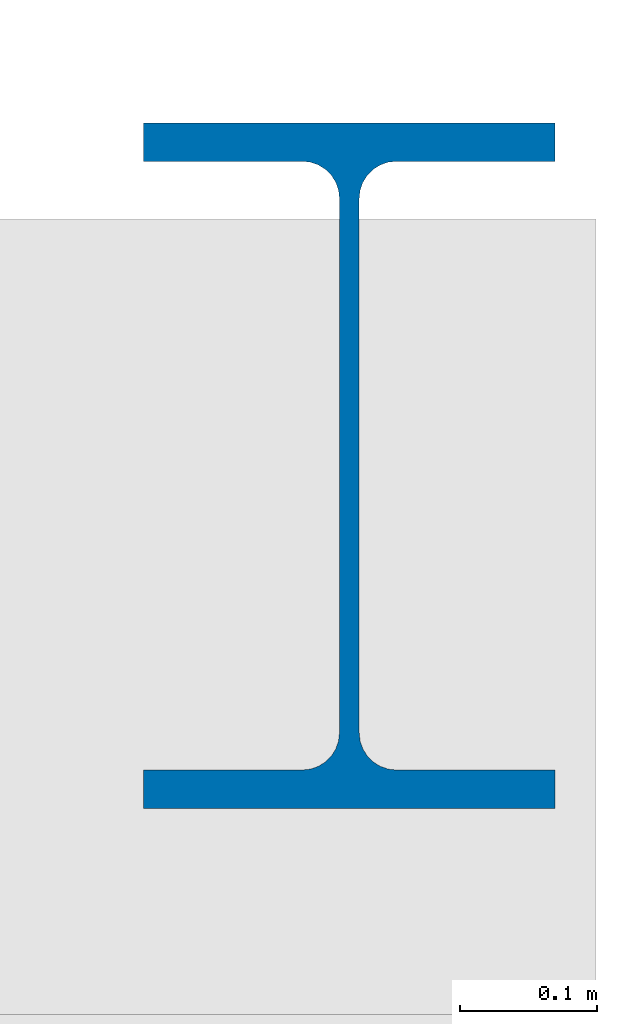
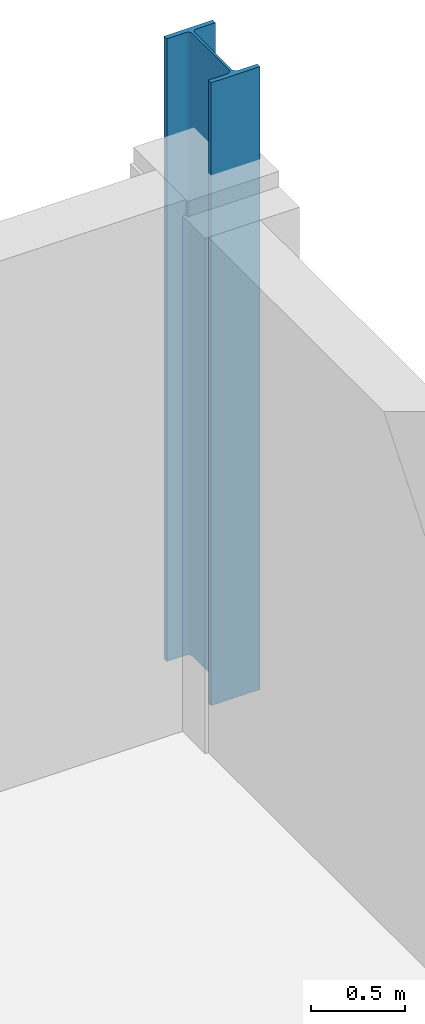
# One storey, part 19 of 77: 1 column.
"""IFC4 building model written with IfcOpenShell, lengths in metres."""

import ifcopenshell
import ifcopenshell.guid

model = None  # the IFC model being written
_history = None  # IfcOwnerHistory: only IFC2X3 demands one
_inside = {}  # id of a spatial element -> (the spatial element, [elements in it])
_under = {}  # id of a project, library or spatial element -> (it, [spatial elements below it])
_declared = {}  # id of a project -> (the project, [libraries it declares])
_typed = {}  # id of a type object -> (the type object, [elements of that type])
_made_of = {}  # id of a material, layer set ... -> (it, [elements and type objects made of it])


def new_model(schema):
    """Start an empty IFC model of exactly this schema.

    Asked for "IFC4X3", IfcOpenShell would pick the latest addendum, in which some entities
    have other attributes; the version numbers below select the first issue.
    IFC2X3 requires an IfcOwnerHistory on every rooted entity: one is made here for all.
    """
    global model, _history
    if schema == "IFC4X3":
        model = ifcopenshell.file(schema_version=(4, 3, 0, 0))
    else:
        model = ifcopenshell.file(schema=schema)
    _inside.clear()
    _under.clear()
    _declared.clear()
    _typed.clear()
    _made_of.clear()
    _history = None
    if model.schema == "IFC2X3":
        org = make("IfcOrganization", Name="unknown")
        user = make(
            "IfcPersonAndOrganization",
            ThePerson=make("IfcPerson", FamilyName="unknown"),
            TheOrganization=org,
        )
        app = make(
            "IfcApplication",
            ApplicationDeveloper=org,
            Version="unknown",
            ApplicationFullName="unknown",
            ApplicationIdentifier="unknown",
        )
        _history = make(
            "IfcOwnerHistory",
            OwningUser=user,
            OwningApplication=app,
            ChangeAction="ADDED",
            CreationDate=0,
        )
    return model


def make(cls, **values):
    """One entity of the class cls with the attributes given. An attribute that is None is left unset."""
    return model.create_entity(
        cls, **{name: value for name, value in values.items() if value is not None}
    )


def rooted(cls, **values):
    """An entity with a GlobalId (a new one), such as an element, a storey or a relation."""
    return make(cls, GlobalId=ifcopenshell.guid.new(), OwnerHistory=_history, **values)


def si_unit(unit_type, name, prefix=None):
    """IfcSIUnit, for example si_unit("LENGTHUNIT", "METRE", prefix="MILLI")."""
    return make("IfcSIUnit", UnitType=unit_type, Prefix=prefix, Name=name)


def assignment(units):
    """IfcUnitAssignment: the units of a project."""
    return None if units is None else make("IfcUnitAssignment", Units=units)


def point(xyz):
    """IfcCartesianPoint."""
    return None if xyz is None else make("IfcCartesianPoint", Coordinates=xyz)


def direction(xyz):
    """IfcDirection."""
    return None if xyz is None else make("IfcDirection", DirectionRatios=xyz)


def frame(location, z_axis=None, x_axis=None):
    """IfcAxis2Placement3D, a coordinate frame: its origin and axes. An axis left out is left unset."""
    return make(
        "IfcAxis2Placement3D",
        Location=point(location),
        Axis=direction(z_axis),
        RefDirection=direction(x_axis),
    )


def frame_2d(location, x_axis=None):
    """IfcAxis2Placement2D, a coordinate frame in the plane: its origin and x axis."""
    return make(
        "IfcAxis2Placement2D", Location=point(location), RefDirection=direction(x_axis)
    )


def origin():
    """The frame at (0, 0, 0) with its axes left unset."""
    return frame((0.0, 0.0, 0.0))


def origin_2d():
    """The frame at (0, 0) in the plane with its x axis left unset."""
    return frame_2d((0.0, 0.0))


def place(relative_to, where):
    """IfcLocalPlacement: puts the frame where relative to a parent placement (None: the world)."""
    return make(
        "IfcLocalPlacement", PlacementRelTo=relative_to, RelativePlacement=where
    )


def context(
    kind, dimensions, precision=None, world=None, true_north=None, identifier=None
):
    """IfcGeometricRepresentationContext, for example the 3D "Model" context."""
    return make(
        "IfcGeometricRepresentationContext",
        ContextIdentifier=identifier,
        ContextType=kind,
        CoordinateSpaceDimension=dimensions,
        Precision=precision,
        WorldCoordinateSystem=world,
        TrueNorth=true_north,
    )


def subcontext(parent, identifier, kind, view, scale=None):
    """IfcGeometricRepresentationSubContext, for example "Body" below "Model"."""
    return make(
        "IfcGeometricRepresentationSubContext",
        ContextIdentifier=identifier,
        ContextType=kind,
        ParentContext=parent,
        TargetScale=scale,
        TargetView=view,
    )


def project(units=None, contexts=None):
    """IfcProject with its units and contexts."""
    return rooted(
        "IfcProject",
        Name="project",
        RepresentationContexts=contexts,
        UnitsInContext=assignment(units),
    )


def spatial(cls, under=None, at=None, **own):
    """A site, building, storey or space (cls), placed at a placement, below another one or the project."""
    s = rooted(cls, ObjectPlacement=at, **own)
    if under is not None:
        _under.setdefault(under.id(), (under, []))[1].append(s)
    return s


def profile(cls, at=None, kind="AREA", **sizes):
    """A parametric profile (cls). Its sizes go by their IFC names, for example OverallWidth=200.0."""
    return make(cls, ProfileType=kind, Position=at, **sizes)


def i_section(**sizes):
    """IfcIShapeProfileDef."""
    return profile("IfcIShapeProfileDef", **sizes)


def extrude(swept, where, along, depth):
    """IfcExtrudedAreaSolid: the profile swept, set in the frame where, extruded along a direction by depth."""
    return make(
        "IfcExtrudedAreaSolid",
        SweptArea=swept,
        Position=where,
        ExtrudedDirection=direction(along),
        Depth=depth,
    )


def shape(context_of_items, identifier, shape_type, items):
    """IfcShapeRepresentation: the items that make up one representation, for example the "Body"."""
    return make(
        "IfcShapeRepresentation",
        ContextOfItems=context_of_items,
        RepresentationIdentifier=identifier,
        RepresentationType=shape_type,
        Items=items,
    )


def material(Name=None, Category=None):
    """IfcMaterial."""
    return make("IfcMaterial", Name=Name, Category=Category)


def material_profile(
    of_material, cross_section, Name=None, Category=None, Priority=None
):
    """IfcMaterialProfile: a cross section and its material."""
    return make(
        "IfcMaterialProfile",
        Name=Name,
        Material=of_material,
        Profile=cross_section,
        Priority=Priority,
        Category=Category,
    )


def profile_set(profiles, Name=None, composite=None):
    """IfcMaterialProfileSet."""
    return make(
        "IfcMaterialProfileSet",
        Name=Name,
        MaterialProfiles=profiles,
        CompositeProfile=composite,
    )


def made_of(thing, what):
    """Note that an element or type object is made of a material, layer set ...; save() writes the relation."""
    if what is not None:
        _made_of.setdefault(what.id(), (what, []))[1].append(thing)
    return thing


def type_object(cls, material=None, **own):
    """A type object (cls), such as IfcWallType, which elements share."""
    return made_of(rooted(cls, **own), material)


def element(
    cls,
    number,
    at=None,
    inside=None,
    cuts=None,
    type_object=None,
    material=None,
    context=None,
    identifier="Body",
    shape_type=None,
    held_by="IfcProductDefinitionShape",
    body=None,
    shapes=None,
    **own,
):
    """One element of the class cls, such as IfcWall. Its Tag is "e" and its number.

    at: its placement. inside: the storey or other place that contains it. cuts: it is an
    opening in that element (IfcRelVoidsElement). A single representation is given by context,
    identifier, shape_type and body (its items); several are given by shapes. held_by: the class
    of the entity that holds the representations. save() writes the other relations.
    """
    e = rooted(cls, Tag="e%d" % number, ObjectPlacement=at, **own)
    if body is not None:
        shapes = [shape(context, identifier, shape_type, body)]
    if shapes is not None:
        e.Representation = make(held_by, Representations=shapes)
    if inside is not None:
        _inside.setdefault(inside.id(), (inside, []))[1].append(e)
    if cuts is not None:
        rooted(
            "IfcRelVoidsElement", RelatingBuildingElement=cuts, RelatedOpeningElement=e
        )
    if type_object is not None:
        _typed.setdefault(type_object.id(), (type_object, []))[1].append(e)
    return made_of(e, material)


def aggregate(whole, parts):
    """IfcRelAggregates: a whole, such as a stair, and the parts it consists of."""
    return rooted("IfcRelAggregates", RelatingObject=whole, RelatedObjects=parts)


def save(model, path):
    """Write the relations noted so far, then the file.

    IfcRelAggregates (storeys below a building ...), IfcRelContainedInSpatialStructure (elements
    in a storey), IfcRelDefinesByType, IfcRelAssociatesMaterial and IfcRelDeclares: one each for
    every whole, place, type object, material and project.
    """
    for whole, parts in _under.values():
        aggregate(whole, parts)
    for where, things in _inside.values():
        rooted(
            "IfcRelContainedInSpatialStructure",
            RelatedElements=things,
            RelatingStructure=where,
        )
    for kind, things in _typed.values():
        rooted("IfcRelDefinesByType", RelatedObjects=things, RelatingType=kind)
    for what, things in _made_of.values():
        rooted("IfcRelAssociatesMaterial", RelatedObjects=things, RelatingMaterial=what)
    for by, libraries in _declared.values():
        rooted("IfcRelDeclares", RelatingContext=by, RelatedDefinitions=libraries)
    model.write(path)


model = new_model("IFC4")

# Units and contexts
model_context = context("Model", 3, precision=1e-05, world=origin(), true_north=direction((0.0, 1.0)))
body_context = subcontext(model_context, "Body", "Model", "MODEL_VIEW")
ifc_project = project(units=[si_unit("LENGTHUNIT", "METRE"), si_unit("AREAUNIT", "SQUARE_METRE"), si_unit("VOLUMEUNIT", "CUBIC_METRE"), si_unit("PLANEANGLEUNIT", "RADIAN"), si_unit("MASSUNIT", "GRAM", prefix="KILO")], contexts=[model_context])

# Site, building, storey
site_placement = place(None, origin())
site = spatial("IfcSite", under=ifc_project, at=site_placement, CompositionType="ELEMENT")
building_placement = place(site_placement, origin())
building = spatial("IfcBuilding", under=site, at=building_placement, Name="Nabrawat Pavilion Hospital", CompositionType="ELEMENT")
storey_placement = place(building_placement, frame((0.0, 0.0, 14.85009765625)))
storey = spatial("IfcBuildingStorey", under=building, at=storey_placement, Name="L03", CompositionType="ELEMENT", Elevation=14.85009765625)

# Column
ifc_material = material(Name="Steel S355", Category="steel")
ifc_material_profile = material_profile(ifc_material, i_section(OverallWidth=0.300048828125, OverallDepth=0.5, WebThickness=0.014404296875, FlangeThickness=0.028076171875, FilletRadius=0.027099609375, at=origin_2d()), Name="HEB 500")
ifc_profile_set = profile_set([ifc_material_profile], Name="Steel S355")
column_type = type_object("IfcColumnType", Name="Composite Steel Column HEB 500", PredefinedType="COLUMN", material=ifc_profile_set)
column_placement = place(storey_placement, frame((193.199951171875, 124.800048828125, 0.0), z_axis=(0.0, 0.0, 1.0), x_axis=(1.0, 0.0, 0.0)))
element("IfcColumn", 1, at=column_placement, inside=storey, type_object=column_type, Name="L03 Structural Column G-24-S", PredefinedType="COLUMN", context=body_context, shape_type="SweptSolid", body=[
    extrude(i_section(OverallWidth=0.300048828125, OverallDepth=0.5, WebThickness=0.014404296875, FlangeThickness=0.028076171875, FilletRadius=0.027099609375, at=origin_2d()), origin(), (0.0, 0.0, 1.0), 4.0498046875),
])

save(model, "model.ifc")
